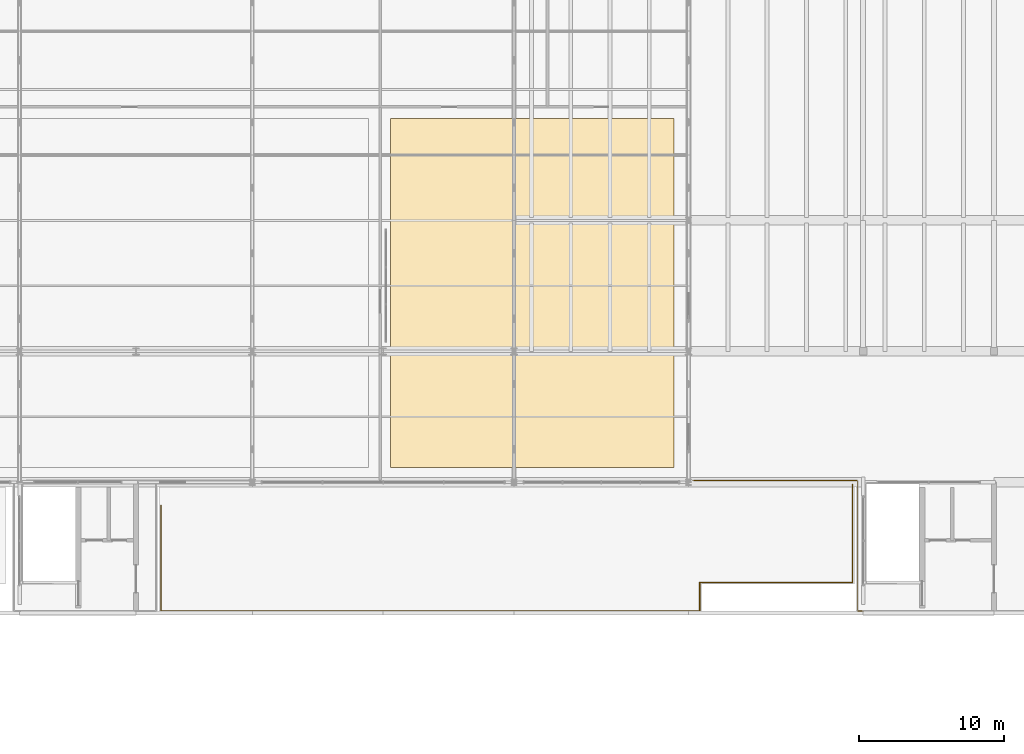
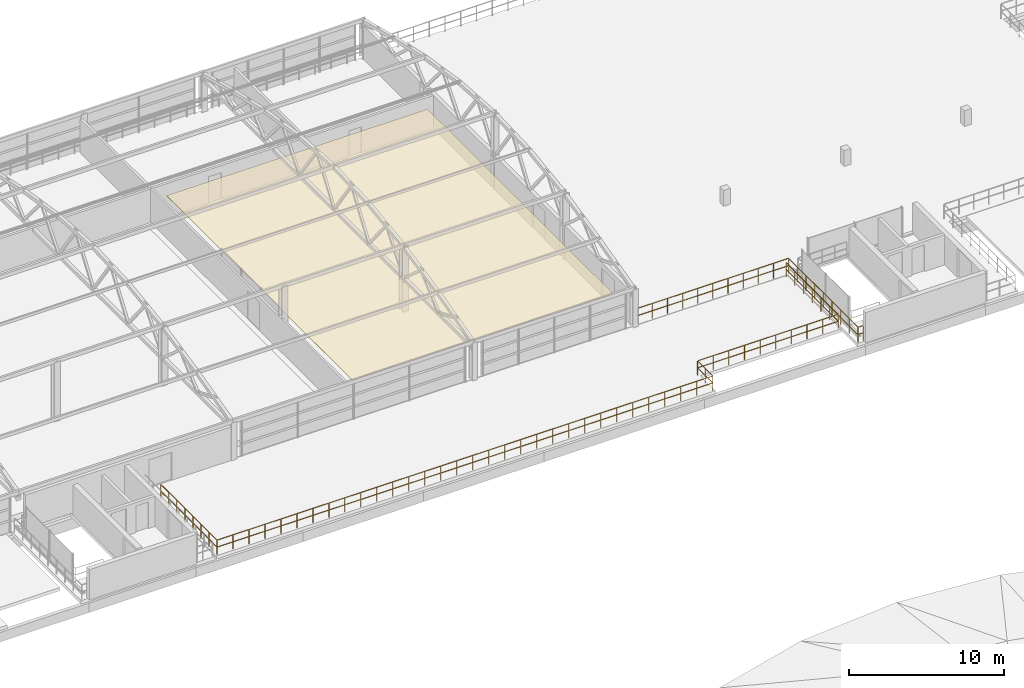
# One storey, part 46 of 50: 2 railings, 1 covering.
"""IFC4 building model written with IfcOpenShell, lengths in metres."""

from ifc_helpers import new_model, si_unit, derived_unit, direction, frame, origin, origin_2d, place, context, subcontext, project, spatial, polyline, circle, outline, extrude, material, layer, layer_set, type_object, element, save


model = new_model("IFC4")

# Units and contexts
model_context = context("Model", 3, precision=1e-05, world=origin(), true_north=direction((0.0, 1.0)))
body_context = subcontext(model_context, "Body", "Model", "MODEL_VIEW")
ifc_project = project(units=[si_unit("LENGTHUNIT", "METRE"), si_unit("AREAUNIT", "SQUARE_METRE"), si_unit("VOLUMEUNIT", "CUBIC_METRE"), si_unit("PLANEANGLEUNIT", "RADIAN"), si_unit("MASSUNIT", "GRAM", prefix="KILO"), si_unit("THERMODYNAMICTEMPERATUREUNIT", "KELVIN"), derived_unit("THERMALTRANSMITTANCEUNIT", [(si_unit("POWERUNIT", "WATT"), 1), (si_unit("AREAUNIT", "SQUARE_METRE"), -1), (si_unit("THERMODYNAMICTEMPERATUREUNIT", "KELVIN"), -1)])], contexts=[model_context])

# Site, building, storey
site_placement = place(None, origin())
site = spatial("IfcSite", under=ifc_project, at=site_placement, CompositionType="ELEMENT")
building_placement = place(site_placement, origin())
building = spatial("IfcBuilding", under=site, at=building_placement, Name="Haiyu Intermodal Mobility Hub", CompositionType="ELEMENT")
storey_placement = place(building_placement, frame((0.0, 0.0, 25.10009765625)))
storey = spatial("IfcBuildingStorey", under=building, at=storey_placement, Name="L06", CompositionType="ELEMENT", Elevation=25.10009765625)

# Covering
ifc_material_1 = material(Name="Champagne perforated aluminium 6063-T6", Category="aluminium")
ifc_layer = layer(ifc_material_1, 0.139892578125)
ifc_layer_set = layer_set([ifc_layer], Name="Champagne perforated aluminium 6063-T6")
covering_type = type_object("IfcCoveringType", Name="COV-CV01", PredefinedType="CLADDING", material=ifc_layer_set)
covering_placement = place(storey_placement, frame((0.0, 0.0, 2.25)))
element("IfcCovering", 1, at=covering_placement, inside=storey, type_object=covering_type, Name="COV-CEIL-008", PredefinedType="CLADDING", context=body_context, shape_type="SweptSolid", body=[
    extrude(outline(polyline([(87.5, 114.0), (107.0, 114.0), (107.0, 138.0), (87.5, 138.0), (87.5, 114.0)])), origin(), (0.0, 0.0, 1.0), 0.044921875),
])

# Railings
ifc_material_2 = material(Name="Steel Q355C", Category="steel")
railing_type_1 = type_object("IfcRailingType", Name="RAL-GR01", PredefinedType="GUARDRAIL", material=ifc_material_2)
railing_1_placement = place(storey_placement, frame((108.300048828125, 113.1201171875, 0.0)))
element("IfcRailing", 2, at=railing_1_placement, inside=storey, type_object=railing_type_1, Name="L06 Outdoor Basketball Court South-West Guard", PredefinedType="GUARDRAIL", context=body_context, shape_type="SweptSolid", body=[
    extrude(circle(Radius=0.02392578125, at=origin_2d()), frame((0.030029296875, 0.0, 1.17578125), z_axis=(1.0, 0.0, 0.0), x_axis=(0.0, 1.0, 0.0)), (0.0, 0.0, 1.0), 11.260009765625),
    extrude(circle(Radius=0.02392578125, at=origin_2d()), frame((0.037353515625, 0.0, 0.60009765625), z_axis=(1.0, 0.0, 0.0), x_axis=(0.0, 1.0, 0.0)), (0.0, 0.0, 1.0), 1.057373046875),
    extrude(circle(Radius=0.02392578125, at=origin_2d()), frame((1.169189453125, 0.0, 0.60009765625), z_axis=(1.0, 0.0, 0.0), x_axis=(0.0, 1.0, 0.0)), (0.0, 0.0, 1.0), 1.057373046875),
    extrude(circle(Radius=0.02392578125, at=origin_2d()), frame((2.30126953125, 0.0, 0.60009765625), z_axis=(1.0, 0.0, 0.0), x_axis=(0.0, 1.0, 0.0)), (0.0, 0.0, 1.0), 1.057373046875),
    extrude(circle(Radius=0.02392578125, at=origin_2d()), frame((3.433349609375, 0.0, 0.60009765625), z_axis=(1.0, 0.0, 0.0), x_axis=(0.0, 1.0, 0.0)), (0.0, 0.0, 1.0), 1.057373046875),
    extrude(circle(Radius=0.02392578125, at=origin_2d()), frame((4.5654296875, 0.0, 0.60009765625), z_axis=(1.0, 0.0, 0.0), x_axis=(0.0, 1.0, 0.0)), (0.0, 0.0, 1.0), 1.057373046875),
    extrude(circle(Radius=0.02392578125, at=origin_2d()), frame((5.697265625, 0.0, 0.60009765625), z_axis=(1.0, 0.0, 0.0), x_axis=(0.0, 1.0, 0.0)), (0.0, 0.0, 1.0), 1.057373046875),
    extrude(circle(Radius=0.02392578125, at=origin_2d()), frame((6.829345703125, 0.0, 0.60009765625), z_axis=(1.0, 0.0, 0.0), x_axis=(0.0, 1.0, 0.0)), (0.0, 0.0, 1.0), 1.057373046875),
    extrude(circle(Radius=0.02392578125, at=origin_2d()), frame((7.96142578125, 0.0, 0.60009765625), z_axis=(1.0, 0.0, 0.0), x_axis=(0.0, 1.0, 0.0)), (0.0, 0.0, 1.0), 1.057373046875),
    extrude(circle(Radius=0.02392578125, at=origin_2d()), frame((9.09326171875, 0.0, 0.60009765625), z_axis=(1.0, 0.0, 0.0), x_axis=(0.0, 1.0, 0.0)), (0.0, 0.0, 1.0), 1.057373046875),
    extrude(circle(Radius=0.02392578125, at=origin_2d()), frame((10.225341796875, 0.0, 0.60009765625), z_axis=(1.0, 0.0, 0.0), x_axis=(0.0, 1.0, 0.0)), (0.0, 0.0, 1.0), 1.057373046875),
    extrude(circle(Radius=0.02392578125, at=origin_2d()), frame((11.320068359375, -0.030029296875, 1.17578125), z_axis=(0.0, -1.0, 0.0), x_axis=(1.0, 0.0, 0.0)), (0.0, 0.0, 1.0), 8.920166015625),
    extrude(circle(Radius=0.02392578125, at=origin_2d()), frame((11.320068359375, -0.037353515625, 0.60009765625), z_axis=(0.0, -1.0, 0.0), x_axis=(1.0, 0.0, 0.0)), (0.0, 0.0, 1.0), 1.0478515625),
    extrude(circle(Radius=0.02392578125, at=origin_2d()), frame((11.320068359375, -1.159912109375, 0.60009765625), z_axis=(0.0, -1.0, 0.0), x_axis=(1.0, 0.0, 0.0)), (0.0, 0.0, 1.0), 1.0478515625),
    extrude(circle(Radius=0.02392578125, at=origin_2d()), frame((11.320068359375, -2.282470703125, 0.60009765625), z_axis=(0.0, -1.0, 0.0), x_axis=(1.0, 0.0, 0.0)), (0.0, 0.0, 1.0), 1.0478515625),
    extrude(circle(Radius=0.02392578125, at=origin_2d()), frame((11.320068359375, -3.40478515625, 0.60009765625), z_axis=(0.0, -1.0, 0.0), x_axis=(1.0, 0.0, 0.0)), (0.0, 0.0, 1.0), 1.0478515625),
    extrude(circle(Radius=0.02392578125, at=origin_2d()), frame((11.320068359375, -4.52734375, 0.60009765625), z_axis=(0.0, -1.0, 0.0), x_axis=(1.0, 0.0, 0.0)), (0.0, 0.0, 1.0), 1.0478515625),
    extrude(circle(Radius=0.02392578125, at=origin_2d()), frame((11.320068359375, -5.64990234375, 0.60009765625), z_axis=(0.0, -1.0, 0.0), x_axis=(1.0, 0.0, 0.0)), (0.0, 0.0, 1.0), 1.0478515625),
    extrude(circle(Radius=0.02392578125, at=origin_2d()), frame((11.320068359375, -6.7724609375, 0.60009765625), z_axis=(0.0, -1.0, 0.0), x_axis=(1.0, 0.0, 0.0)), (0.0, 0.0, 1.0), 1.0478515625),
    extrude(circle(Radius=0.02392578125, at=origin_2d()), frame((11.320068359375, -7.89501953125, 0.60009765625), z_axis=(0.0, -1.0, 0.0), x_axis=(1.0, 0.0, 0.0)), (0.0, 0.0, 1.0), 1.0478515625),
    extrude(circle(Radius=0.02392578125, at=origin_2d()), frame((11.35009765625, -8.980224609375, 1.17578125), z_axis=(1.0, 0.0, 0.0), x_axis=(0.0, 1.0, 0.0)), (0.0, 0.0, 1.0), 0.31982421875),
    extrude(circle(Radius=0.02392578125, at=origin_2d()), frame((11.357421875, -8.980224609375, 0.60009765625), z_axis=(1.0, 0.0, 0.0), x_axis=(0.0, 1.0, 0.0)), (0.0, 0.0, 1.0), 0.30517578125),
    extrude(circle(Radius=0.02099609375, at=origin_2d()), origin(), (0.0, 0.0, 1.0), 1.143798828125),
    extrude(circle(Radius=0.02099609375, at=origin_2d()), frame((1.132080078125, 0.0, 0.0)), (0.0, 0.0, 1.0), 1.143798828125),
    extrude(circle(Radius=0.02099609375, at=origin_2d()), frame((2.263916015625, 0.0, 0.0)), (0.0, 0.0, 1.0), 1.143798828125),
    extrude(circle(Radius=0.02099609375, at=origin_2d()), frame((3.39599609375, 0.0, 0.0)), (0.0, 0.0, 1.0), 1.143798828125),
    extrude(circle(Radius=0.02099609375, at=origin_2d()), frame((4.528076171875, 0.0, 0.0)), (0.0, 0.0, 1.0), 1.143798828125),
    extrude(circle(Radius=0.02099609375, at=origin_2d()), frame((5.66015625, 0.0, 0.0)), (0.0, 0.0, 1.0), 1.143798828125),
    extrude(circle(Radius=0.02099609375, at=origin_2d()), frame((6.7919921875, 0.0, 0.0)), (0.0, 0.0, 1.0), 1.143798828125),
    extrude(circle(Radius=0.02099609375, at=origin_2d()), frame((7.924072265625, 0.0, 0.0)), (0.0, 0.0, 1.0), 1.143798828125),
    extrude(circle(Radius=0.02099609375, at=origin_2d()), frame((9.05615234375, 0.0, 0.0)), (0.0, 0.0, 1.0), 1.143798828125),
    extrude(circle(Radius=0.02099609375, at=origin_2d()), frame((10.18798828125, 0.0, 0.0)), (0.0, 0.0, 1.0), 1.143798828125),
    extrude(circle(Radius=0.02099609375, at=origin_2d()), frame((11.320068359375, 0.0, 0.0)), (0.0, 0.0, 1.0), 1.143798828125),
    extrude(circle(Radius=0.02099609375, at=origin_2d()), frame((11.320068359375, -1.12255859375, 0.0)), (0.0, 0.0, 1.0), 1.143798828125),
    extrude(circle(Radius=0.02099609375, at=origin_2d()), frame((11.320068359375, -2.2451171875, 0.0)), (0.0, 0.0, 1.0), 1.143798828125),
    extrude(circle(Radius=0.02099609375, at=origin_2d()), frame((11.320068359375, -3.36767578125, 0.0)), (0.0, 0.0, 1.0), 1.143798828125),
    extrude(circle(Radius=0.02099609375, at=origin_2d()), frame((11.320068359375, -4.490234375, 0.0)), (0.0, 0.0, 1.0), 1.143798828125),
    extrude(circle(Radius=0.02099609375, at=origin_2d()), frame((11.320068359375, -5.612548828125, 0.0)), (0.0, 0.0, 1.0), 1.143798828125),
    extrude(circle(Radius=0.02099609375, at=origin_2d()), frame((11.320068359375, -6.735107421875, 0.0)), (0.0, 0.0, 1.0), 1.143798828125),
    extrude(circle(Radius=0.02099609375, at=origin_2d()), frame((11.320068359375, -7.857666015625, 0.0)), (0.0, 0.0, 1.0), 1.143798828125),
    extrude(circle(Radius=0.02099609375, at=origin_2d()), frame((11.320068359375, -8.980224609375, 0.0)), (0.0, 0.0, 1.0), 1.143798828125),
    extrude(circle(Radius=0.02099609375, at=origin_2d()), frame((11.699951171875, -8.980224609375, 0.0)), (0.0, 0.0, 1.0), 1.143798828125),
])
railing_type_2 = type_object("IfcRailingType", Name="RAL-GR02", PredefinedType="GUARDRAIL", material=ifc_material_2)
railing_2_placement = place(storey_placement, frame((71.719970703125, 111.39990234375, 0.0)))
element("IfcRailing", 3, at=railing_2_placement, inside=storey, type_object=railing_type_2, Name="L06 South Terrace Deck Perimeter Guardrail", PredefinedType="GUARDRAIL", context=body_context, shape_type="SweptSolid", body=[
    extrude(circle(Radius=0.02392578125, at=origin_2d()), frame((0.0, -0.030029296875, 1.1259765625), z_axis=(0.0, -1.0, 0.0), x_axis=(1.0, 0.0, 0.0)), (0.0, 0.0, 1.0), 7.199951171875),
    extrude(circle(Radius=0.02392578125, at=origin_2d()), frame((0.0, -0.037353515625, 0.574951171875), z_axis=(0.0, -1.0, 0.0), x_axis=(1.0, 0.0, 0.0)), (0.0, 0.0, 1.0), 0.962646484375),
    extrude(circle(Radius=0.02392578125, at=origin_2d()), frame((0.0, -1.074462890625, 0.574951171875), z_axis=(0.0, -1.0, 0.0), x_axis=(1.0, 0.0, 0.0)), (0.0, 0.0, 1.0), 0.962646484375),
    extrude(circle(Radius=0.02392578125, at=origin_2d()), frame((0.0, -2.111572265625, 0.574951171875), z_axis=(0.0, -1.0, 0.0), x_axis=(1.0, 0.0, 0.0)), (0.0, 0.0, 1.0), 0.962646484375),
    extrude(circle(Radius=0.02392578125, at=origin_2d()), frame((0.0, -3.148681640625, 0.574951171875), z_axis=(0.0, -1.0, 0.0), x_axis=(1.0, 0.0, 0.0)), (0.0, 0.0, 1.0), 0.962646484375),
    extrude(circle(Radius=0.02392578125, at=origin_2d()), frame((0.0, -4.185791015625, 0.574951171875), z_axis=(0.0, -1.0, 0.0), x_axis=(1.0, 0.0, 0.0)), (0.0, 0.0, 1.0), 0.962646484375),
    extrude(circle(Radius=0.02392578125, at=origin_2d()), frame((0.0, -5.222900390625, 0.574951171875), z_axis=(0.0, -1.0, 0.0), x_axis=(1.0, 0.0, 0.0)), (0.0, 0.0, 1.0), 0.962646484375),
    extrude(circle(Radius=0.02392578125, at=origin_2d()), frame((0.0, -6.26025390625, 0.574951171875), z_axis=(0.0, -1.0, 0.0), x_axis=(1.0, 0.0, 0.0)), (0.0, 0.0, 1.0), 0.962646484375),
    extrude(circle(Radius=0.02392578125, at=origin_2d()), frame((0.030029296875, -7.260009765625, 1.1259765625), z_axis=(1.0, 0.0, 0.0), x_axis=(0.0, 1.0, 0.0)), (0.0, 0.0, 1.0), 36.98388671875),
    extrude(circle(Radius=0.02392578125, at=origin_2d()), frame((0.037353515625, -7.260009765625, 0.574951171875), z_axis=(1.0, 0.0, 0.0), x_axis=(0.0, 1.0, 0.0)), (0.0, 0.0, 1.0), 1.120361328125),
    extrude(circle(Radius=0.02392578125, at=origin_2d()), frame((1.232177734375, -7.260009765625, 0.574951171875), z_axis=(1.0, 0.0, 0.0), x_axis=(0.0, 1.0, 0.0)), (0.0, 0.0, 1.0), 1.120361328125),
    extrude(circle(Radius=0.02392578125, at=origin_2d()), frame((2.42724609375, -7.260009765625, 0.574951171875), z_axis=(1.0, 0.0, 0.0), x_axis=(0.0, 1.0, 0.0)), (0.0, 0.0, 1.0), 1.120361328125),
    extrude(circle(Radius=0.02392578125, at=origin_2d()), frame((3.622314453125, -7.260009765625, 0.574951171875), z_axis=(1.0, 0.0, 0.0), x_axis=(0.0, 1.0, 0.0)), (0.0, 0.0, 1.0), 1.120361328125),
    extrude(circle(Radius=0.02392578125, at=origin_2d()), frame((4.817138671875, -7.260009765625, 0.574951171875), z_axis=(1.0, 0.0, 0.0), x_axis=(0.0, 1.0, 0.0)), (0.0, 0.0, 1.0), 1.120361328125),
    extrude(circle(Radius=0.02392578125, at=origin_2d()), frame((6.01220703125, -7.260009765625, 0.574951171875), z_axis=(1.0, 0.0, 0.0), x_axis=(0.0, 1.0, 0.0)), (0.0, 0.0, 1.0), 1.120361328125),
    extrude(circle(Radius=0.02392578125, at=origin_2d()), frame((7.20703125, -7.260009765625, 0.574951171875), z_axis=(1.0, 0.0, 0.0), x_axis=(0.0, 1.0, 0.0)), (0.0, 0.0, 1.0), 1.120361328125),
    extrude(circle(Radius=0.02392578125, at=origin_2d()), frame((8.402099609375, -7.260009765625, 0.574951171875), z_axis=(1.0, 0.0, 0.0), x_axis=(0.0, 1.0, 0.0)), (0.0, 0.0, 1.0), 1.120361328125),
    extrude(circle(Radius=0.02392578125, at=origin_2d()), frame((9.596923828125, -7.260009765625, 0.574951171875), z_axis=(1.0, 0.0, 0.0), x_axis=(0.0, 1.0, 0.0)), (0.0, 0.0, 1.0), 1.120361328125),
    extrude(circle(Radius=0.02392578125, at=origin_2d()), frame((10.7919921875, -7.260009765625, 0.574951171875), z_axis=(1.0, 0.0, 0.0), x_axis=(0.0, 1.0, 0.0)), (0.0, 0.0, 1.0), 1.120361328125),
    extrude(circle(Radius=0.02392578125, at=origin_2d()), frame((11.987060546875, -7.260009765625, 0.574951171875), z_axis=(1.0, 0.0, 0.0), x_axis=(0.0, 1.0, 0.0)), (0.0, 0.0, 1.0), 1.120361328125),
    extrude(circle(Radius=0.02392578125, at=origin_2d()), frame((13.181884765625, -7.260009765625, 0.574951171875), z_axis=(1.0, 0.0, 0.0), x_axis=(0.0, 1.0, 0.0)), (0.0, 0.0, 1.0), 1.120361328125),
    extrude(circle(Radius=0.02392578125, at=origin_2d()), frame((14.376953125, -7.260009765625, 0.574951171875), z_axis=(1.0, 0.0, 0.0), x_axis=(0.0, 1.0, 0.0)), (0.0, 0.0, 1.0), 1.120361328125),
    extrude(circle(Radius=0.02392578125, at=origin_2d()), frame((15.57177734375, -7.260009765625, 0.574951171875), z_axis=(1.0, 0.0, 0.0), x_axis=(0.0, 1.0, 0.0)), (0.0, 0.0, 1.0), 1.120361328125),
    extrude(circle(Radius=0.02392578125, at=origin_2d()), frame((16.766845703125, -7.260009765625, 0.574951171875), z_axis=(1.0, 0.0, 0.0), x_axis=(0.0, 1.0, 0.0)), (0.0, 0.0, 1.0), 1.120361328125),
    extrude(circle(Radius=0.02392578125, at=origin_2d()), frame((17.961669921875, -7.260009765625, 0.574951171875), z_axis=(1.0, 0.0, 0.0), x_axis=(0.0, 1.0, 0.0)), (0.0, 0.0, 1.0), 1.120361328125),
    extrude(circle(Radius=0.02392578125, at=origin_2d()), frame((19.15673828125, -7.260009765625, 0.574951171875), z_axis=(1.0, 0.0, 0.0), x_axis=(0.0, 1.0, 0.0)), (0.0, 0.0, 1.0), 1.120361328125),
    extrude(circle(Radius=0.02392578125, at=origin_2d()), frame((20.351806640625, -7.260009765625, 0.574951171875), z_axis=(1.0, 0.0, 0.0), x_axis=(0.0, 1.0, 0.0)), (0.0, 0.0, 1.0), 1.120361328125),
    extrude(circle(Radius=0.02392578125, at=origin_2d()), frame((21.546630859375, -7.260009765625, 0.574951171875), z_axis=(1.0, 0.0, 0.0), x_axis=(0.0, 1.0, 0.0)), (0.0, 0.0, 1.0), 1.120361328125),
    extrude(circle(Radius=0.02392578125, at=origin_2d()), frame((22.74169921875, -7.260009765625, 0.574951171875), z_axis=(1.0, 0.0, 0.0), x_axis=(0.0, 1.0, 0.0)), (0.0, 0.0, 1.0), 1.120361328125),
    extrude(circle(Radius=0.02392578125, at=origin_2d()), frame((23.9365234375, -7.260009765625, 0.574951171875), z_axis=(1.0, 0.0, 0.0), x_axis=(0.0, 1.0, 0.0)), (0.0, 0.0, 1.0), 1.120361328125),
    extrude(circle(Radius=0.02392578125, at=origin_2d()), frame((25.131591796875, -7.260009765625, 0.574951171875), z_axis=(1.0, 0.0, 0.0), x_axis=(0.0, 1.0, 0.0)), (0.0, 0.0, 1.0), 1.120361328125),
    extrude(circle(Radius=0.02392578125, at=origin_2d()), frame((26.32666015625, -7.260009765625, 0.574951171875), z_axis=(1.0, 0.0, 0.0), x_axis=(0.0, 1.0, 0.0)), (0.0, 0.0, 1.0), 1.120361328125),
    extrude(circle(Radius=0.02392578125, at=origin_2d()), frame((27.521484375, -7.260009765625, 0.574951171875), z_axis=(1.0, 0.0, 0.0), x_axis=(0.0, 1.0, 0.0)), (0.0, 0.0, 1.0), 1.120361328125),
    extrude(circle(Radius=0.02392578125, at=origin_2d()), frame((28.716552734375, -7.260009765625, 0.574951171875), z_axis=(1.0, 0.0, 0.0), x_axis=(0.0, 1.0, 0.0)), (0.0, 0.0, 1.0), 1.120361328125),
    extrude(circle(Radius=0.02392578125, at=origin_2d()), frame((29.911376953125, -7.260009765625, 0.574951171875), z_axis=(1.0, 0.0, 0.0), x_axis=(0.0, 1.0, 0.0)), (0.0, 0.0, 1.0), 1.120361328125),
    extrude(circle(Radius=0.02392578125, at=origin_2d()), frame((31.1064453125, -7.260009765625, 0.574951171875), z_axis=(1.0, 0.0, 0.0), x_axis=(0.0, 1.0, 0.0)), (0.0, 0.0, 1.0), 1.120361328125),
    extrude(circle(Radius=0.02392578125, at=origin_2d()), frame((32.30126953125, -7.260009765625, 0.574951171875), z_axis=(1.0, 0.0, 0.0), x_axis=(0.0, 1.0, 0.0)), (0.0, 0.0, 1.0), 1.120361328125),
    extrude(circle(Radius=0.02392578125, at=origin_2d()), frame((33.496337890625, -7.260009765625, 0.574951171875), z_axis=(1.0, 0.0, 0.0), x_axis=(0.0, 1.0, 0.0)), (0.0, 0.0, 1.0), 1.120361328125),
    extrude(circle(Radius=0.02392578125, at=origin_2d()), frame((34.69140625, -7.260009765625, 0.574951171875), z_axis=(1.0, 0.0, 0.0), x_axis=(0.0, 1.0, 0.0)), (0.0, 0.0, 1.0), 1.120361328125),
    extrude(circle(Radius=0.02392578125, at=origin_2d()), frame((35.88623046875, -7.260009765625, 0.574951171875), z_axis=(1.0, 0.0, 0.0), x_axis=(0.0, 1.0, 0.0)), (0.0, 0.0, 1.0), 1.120361328125),
    extrude(circle(Radius=0.02392578125, at=origin_2d()), frame((37.0439453125, -7.22998046875, 1.1259765625), z_axis=(0.0, 1.0, 0.0), x_axis=(-1.0, 0.0, 0.0)), (0.0, 0.0, 1.0), 1.906982421875),
    extrude(circle(Radius=0.02392578125, at=origin_2d()), frame((37.0439453125, -7.22265625, 0.574951171875), z_axis=(0.0, 1.0, 0.0), x_axis=(-1.0, 0.0, 0.0)), (0.0, 0.0, 1.0), 0.908935546875),
    extrude(circle(Radius=0.02392578125, at=origin_2d()), frame((37.0439453125, -6.2392578125, 0.574951171875), z_axis=(0.0, 1.0, 0.0), x_axis=(-1.0, 0.0, 0.0)), (0.0, 0.0, 1.0), 0.908935546875),
    extrude(circle(Radius=0.02392578125, at=origin_2d()), frame((37.073974609375, -5.29296875, 1.1259765625), z_axis=(1.0, 0.0, 0.0), x_axis=(0.0, 1.0, 0.0)), (0.0, 0.0, 1.0), 10.4560546875),
    extrude(circle(Radius=0.02392578125, at=origin_2d()), frame((37.081298828125, -5.29296875, 0.574951171875), z_axis=(1.0, 0.0, 0.0), x_axis=(0.0, 1.0, 0.0)), (0.0, 0.0, 1.0), 1.09375),
    extrude(circle(Radius=0.02392578125, at=origin_2d()), frame((38.249755859375, -5.29296875, 0.574951171875), z_axis=(1.0, 0.0, 0.0), x_axis=(0.0, 1.0, 0.0)), (0.0, 0.0, 1.0), 1.09375),
    extrude(circle(Radius=0.02392578125, at=origin_2d()), frame((39.418212890625, -5.29296875, 0.574951171875), z_axis=(1.0, 0.0, 0.0), x_axis=(0.0, 1.0, 0.0)), (0.0, 0.0, 1.0), 1.09375),
    extrude(circle(Radius=0.02392578125, at=origin_2d()), frame((40.586669921875, -5.29296875, 0.574951171875), z_axis=(1.0, 0.0, 0.0), x_axis=(0.0, 1.0, 0.0)), (0.0, 0.0, 1.0), 1.09375),
    extrude(circle(Radius=0.02392578125, at=origin_2d()), frame((41.755126953125, -5.29296875, 0.574951171875), z_axis=(1.0, 0.0, 0.0), x_axis=(0.0, 1.0, 0.0)), (0.0, 0.0, 1.0), 1.09375),
    extrude(circle(Radius=0.02392578125, at=origin_2d()), frame((42.923583984375, -5.29296875, 0.574951171875), z_axis=(1.0, 0.0, 0.0), x_axis=(0.0, 1.0, 0.0)), (0.0, 0.0, 1.0), 1.09375),
    extrude(circle(Radius=0.02392578125, at=origin_2d()), frame((44.092041015625, -5.29296875, 0.574951171875), z_axis=(1.0, 0.0, 0.0), x_axis=(0.0, 1.0, 0.0)), (0.0, 0.0, 1.0), 1.09375),
    extrude(circle(Radius=0.02392578125, at=origin_2d()), frame((45.260498046875, -5.29296875, 0.574951171875), z_axis=(1.0, 0.0, 0.0), x_axis=(0.0, 1.0, 0.0)), (0.0, 0.0, 1.0), 1.09375),
    extrude(circle(Radius=0.02392578125, at=origin_2d()), frame((46.428955078125, -5.29296875, 0.574951171875), z_axis=(1.0, 0.0, 0.0), x_axis=(0.0, 1.0, 0.0)), (0.0, 0.0, 1.0), 1.09375),
    extrude(circle(Radius=0.02392578125, at=origin_2d()), frame((47.56005859375, -5.262939453125, 1.1259765625), z_axis=(0.0, 1.0, 0.0), x_axis=(-1.0, 0.0, 0.0)), (0.0, 0.0, 1.0), 6.673095703125),
    extrude(circle(Radius=0.02392578125, at=origin_2d()), frame((47.56005859375, -5.255615234375, 0.574951171875), z_axis=(0.0, 1.0, 0.0), x_axis=(-1.0, 0.0, 0.0)), (0.0, 0.0, 1.0), 1.047607421875),
    extrude(circle(Radius=0.02392578125, at=origin_2d()), frame((47.56005859375, -4.133544921875, 0.574951171875), z_axis=(0.0, 1.0, 0.0), x_axis=(-1.0, 0.0, 0.0)), (0.0, 0.0, 1.0), 1.047607421875),
    extrude(circle(Radius=0.02392578125, at=origin_2d()), frame((47.56005859375, -3.01123046875, 0.574951171875), z_axis=(0.0, 1.0, 0.0), x_axis=(-1.0, 0.0, 0.0)), (0.0, 0.0, 1.0), 1.047607421875),
    extrude(circle(Radius=0.02392578125, at=origin_2d()), frame((47.56005859375, -1.88916015625, 0.574951171875), z_axis=(0.0, 1.0, 0.0), x_axis=(-1.0, 0.0, 0.0)), (0.0, 0.0, 1.0), 1.047607421875),
    extrude(circle(Radius=0.02392578125, at=origin_2d()), frame((47.56005859375, -0.766845703125, 0.574951171875), z_axis=(0.0, 1.0, 0.0), x_axis=(-1.0, 0.0, 0.0)), (0.0, 0.0, 1.0), 1.047607421875),
    extrude(circle(Radius=0.02392578125, at=origin_2d()), frame((47.56005859375, 0.355224609375, 0.574951171875), z_axis=(0.0, 1.0, 0.0), x_axis=(-1.0, 0.0, 0.0)), (0.0, 0.0, 1.0), 1.047607421875),
    extrude(circle(Radius=0.02099609375, at=origin_2d()), origin(), (0.0, 0.0, 1.0), 1.09375),
    extrude(circle(Radius=0.02099609375, at=origin_2d()), frame((0.0, -1.037109375, 0.0)), (0.0, 0.0, 1.0), 1.09375),
    extrude(circle(Radius=0.02099609375, at=origin_2d()), frame((0.0, -2.07421875, 0.0)), (0.0, 0.0, 1.0), 1.09375),
    extrude(circle(Radius=0.02099609375, at=origin_2d()), frame((0.0, -3.111328125, 0.0)), (0.0, 0.0, 1.0), 1.09375),
    extrude(circle(Radius=0.02099609375, at=origin_2d()), frame((0.0, -4.148681640625, 0.0)), (0.0, 0.0, 1.0), 1.09375),
    extrude(circle(Radius=0.02099609375, at=origin_2d()), frame((0.0, -5.185791015625, 0.0)), (0.0, 0.0, 1.0), 1.09375),
    extrude(circle(Radius=0.02099609375, at=origin_2d()), frame((0.0, -6.222900390625, 0.0)), (0.0, 0.0, 1.0), 1.09375),
    extrude(circle(Radius=0.02099609375, at=origin_2d()), frame((0.0, -7.260009765625, 0.0)), (0.0, 0.0, 1.0), 1.09375),
    extrude(circle(Radius=0.02099609375, at=origin_2d()), frame((1.195068359375, -7.260009765625, 0.0)), (0.0, 0.0, 1.0), 1.09375),
    extrude(circle(Radius=0.02099609375, at=origin_2d()), frame((2.389892578125, -7.260009765625, 0.0)), (0.0, 0.0, 1.0), 1.09375),
    extrude(circle(Radius=0.02099609375, at=origin_2d()), frame((3.5849609375, -7.260009765625, 0.0)), (0.0, 0.0, 1.0), 1.09375),
    extrude(circle(Radius=0.02099609375, at=origin_2d()), frame((4.77978515625, -7.260009765625, 0.0)), (0.0, 0.0, 1.0), 1.09375),
    extrude(circle(Radius=0.02099609375, at=origin_2d()), frame((5.974853515625, -7.260009765625, 0.0)), (0.0, 0.0, 1.0), 1.09375),
    extrude(circle(Radius=0.02099609375, at=origin_2d()), frame((7.169677734375, -7.260009765625, 0.0)), (0.0, 0.0, 1.0), 1.09375),
    extrude(circle(Radius=0.02099609375, at=origin_2d()), frame((8.36474609375, -7.260009765625, 0.0)), (0.0, 0.0, 1.0), 1.09375),
    extrude(circle(Radius=0.02099609375, at=origin_2d()), frame((9.559814453125, -7.260009765625, 0.0)), (0.0, 0.0, 1.0), 1.09375),
    extrude(circle(Radius=0.02099609375, at=origin_2d()), frame((10.754638671875, -7.260009765625, 0.0)), (0.0, 0.0, 1.0), 1.09375),
    extrude(circle(Radius=0.02099609375, at=origin_2d()), frame((11.94970703125, -7.260009765625, 0.0)), (0.0, 0.0, 1.0), 1.09375),
    extrude(circle(Radius=0.02099609375, at=origin_2d()), frame((13.14453125, -7.260009765625, 0.0)), (0.0, 0.0, 1.0), 1.09375),
    extrude(circle(Radius=0.02099609375, at=origin_2d()), frame((14.339599609375, -7.260009765625, 0.0)), (0.0, 0.0, 1.0), 1.09375),
    extrude(circle(Radius=0.02099609375, at=origin_2d()), frame((15.53466796875, -7.260009765625, 0.0)), (0.0, 0.0, 1.0), 1.09375),
    extrude(circle(Radius=0.02099609375, at=origin_2d()), frame((16.7294921875, -7.260009765625, 0.0)), (0.0, 0.0, 1.0), 1.09375),
    extrude(circle(Radius=0.02099609375, at=origin_2d()), frame((17.924560546875, -7.260009765625, 0.0)), (0.0, 0.0, 1.0), 1.09375),
    extrude(circle(Radius=0.02099609375, at=origin_2d()), frame((19.119384765625, -7.260009765625, 0.0)), (0.0, 0.0, 1.0), 1.09375),
    extrude(circle(Radius=0.02099609375, at=origin_2d()), frame((20.314453125, -7.260009765625, 0.0)), (0.0, 0.0, 1.0), 1.09375),
    extrude(circle(Radius=0.02099609375, at=origin_2d()), frame((21.50927734375, -7.260009765625, 0.0)), (0.0, 0.0, 1.0), 1.09375),
    extrude(circle(Radius=0.02099609375, at=origin_2d()), frame((22.704345703125, -7.260009765625, 0.0)), (0.0, 0.0, 1.0), 1.09375),
    extrude(circle(Radius=0.02099609375, at=origin_2d()), frame((23.8994140625, -7.260009765625, 0.0)), (0.0, 0.0, 1.0), 1.09375),
    extrude(circle(Radius=0.02099609375, at=origin_2d()), frame((25.09423828125, -7.260009765625, 0.0)), (0.0, 0.0, 1.0), 1.09375),
    extrude(circle(Radius=0.02099609375, at=origin_2d()), frame((26.289306640625, -7.260009765625, 0.0)), (0.0, 0.0, 1.0), 1.09375),
    extrude(circle(Radius=0.02099609375, at=origin_2d()), frame((27.484130859375, -7.260009765625, 0.0)), (0.0, 0.0, 1.0), 1.09375),
    extrude(circle(Radius=0.02099609375, at=origin_2d()), frame((28.67919921875, -7.260009765625, 0.0)), (0.0, 0.0, 1.0), 1.09375),
    extrude(circle(Radius=0.02099609375, at=origin_2d()), frame((29.874267578125, -7.260009765625, 0.0)), (0.0, 0.0, 1.0), 1.09375),
    extrude(circle(Radius=0.02099609375, at=origin_2d()), frame((31.069091796875, -7.260009765625, 0.0)), (0.0, 0.0, 1.0), 1.09375),
    extrude(circle(Radius=0.02099609375, at=origin_2d()), frame((32.26416015625, -7.260009765625, 0.0)), (0.0, 0.0, 1.0), 1.09375),
    extrude(circle(Radius=0.02099609375, at=origin_2d()), frame((33.458984375, -7.260009765625, 0.0)), (0.0, 0.0, 1.0), 1.09375),
    extrude(circle(Radius=0.02099609375, at=origin_2d()), frame((34.654052734375, -7.260009765625, 0.0)), (0.0, 0.0, 1.0), 1.09375),
    extrude(circle(Radius=0.02099609375, at=origin_2d()), frame((35.848876953125, -7.260009765625, 0.0)), (0.0, 0.0, 1.0), 1.09375),
    extrude(circle(Radius=0.02099609375, at=origin_2d()), frame((37.0439453125, -7.260009765625, 0.0)), (0.0, 0.0, 1.0), 1.09375),
    extrude(circle(Radius=0.02099609375, at=origin_2d()), frame((37.0439453125, -6.2763671875, 0.0)), (0.0, 0.0, 1.0), 1.09375),
    extrude(circle(Radius=0.02099609375, at=origin_2d()), frame((37.0439453125, -5.29296875, 0.0)), (0.0, 0.0, 1.0), 1.09375),
    extrude(circle(Radius=0.02099609375, at=origin_2d()), frame((38.21240234375, -5.29296875, 0.0)), (0.0, 0.0, 1.0), 1.09375),
    extrude(circle(Radius=0.02099609375, at=origin_2d()), frame((39.380859375, -5.29296875, 0.0)), (0.0, 0.0, 1.0), 1.09375),
    extrude(circle(Radius=0.02099609375, at=origin_2d()), frame((40.54931640625, -5.29296875, 0.0)), (0.0, 0.0, 1.0), 1.09375),
    extrude(circle(Radius=0.02099609375, at=origin_2d()), frame((41.7177734375, -5.29296875, 0.0)), (0.0, 0.0, 1.0), 1.09375),
    extrude(circle(Radius=0.02099609375, at=origin_2d()), frame((42.88623046875, -5.29296875, 0.0)), (0.0, 0.0, 1.0), 1.09375),
    extrude(circle(Radius=0.02099609375, at=origin_2d()), frame((44.0546875, -5.29296875, 0.0)), (0.0, 0.0, 1.0), 1.09375),
    extrude(circle(Radius=0.02099609375, at=origin_2d()), frame((45.22314453125, -5.29296875, 0.0)), (0.0, 0.0, 1.0), 1.09375),
    extrude(circle(Radius=0.02099609375, at=origin_2d()), frame((46.3916015625, -5.29296875, 0.0)), (0.0, 0.0, 1.0), 1.09375),
    extrude(circle(Radius=0.02099609375, at=origin_2d()), frame((47.56005859375, -5.29296875, 0.0)), (0.0, 0.0, 1.0), 1.09375),
    extrude(circle(Radius=0.02099609375, at=origin_2d()), frame((47.56005859375, -4.1708984375, 0.0)), (0.0, 0.0, 1.0), 1.09375),
    extrude(circle(Radius=0.02099609375, at=origin_2d()), frame((47.56005859375, -3.048583984375, 0.0)), (0.0, 0.0, 1.0), 1.09375),
    extrude(circle(Radius=0.02099609375, at=origin_2d()), frame((47.56005859375, -1.92626953125, 0.0)), (0.0, 0.0, 1.0), 1.09375),
    extrude(circle(Radius=0.02099609375, at=origin_2d()), frame((47.56005859375, -0.80419921875, 0.0)), (0.0, 0.0, 1.0), 1.09375),
    extrude(circle(Radius=0.02099609375, at=origin_2d()), frame((47.56005859375, 0.31787109375, 0.0)), (0.0, 0.0, 1.0), 1.09375),
    extrude(circle(Radius=0.02099609375, at=origin_2d()), frame((47.56005859375, 1.440185546875, 0.0)), (0.0, 0.0, 1.0), 1.09375),
])

save(model, "model.ifc")
